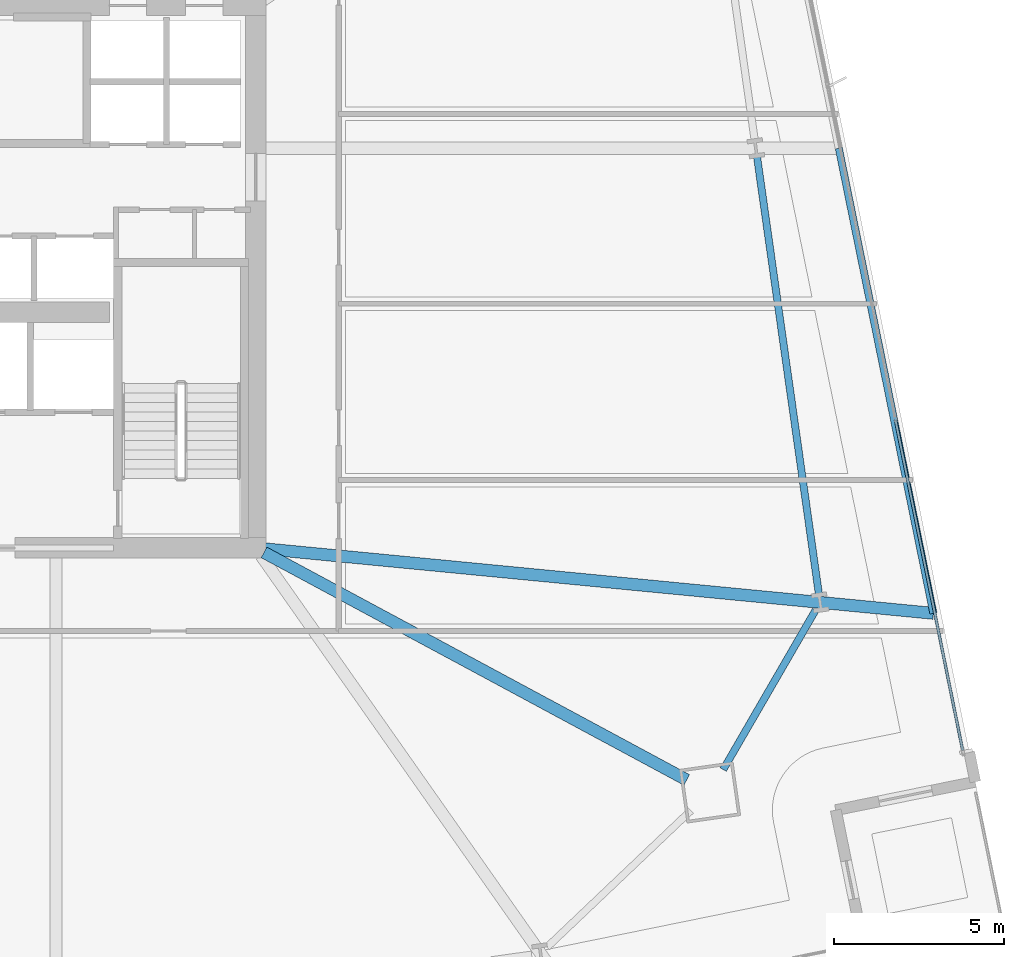
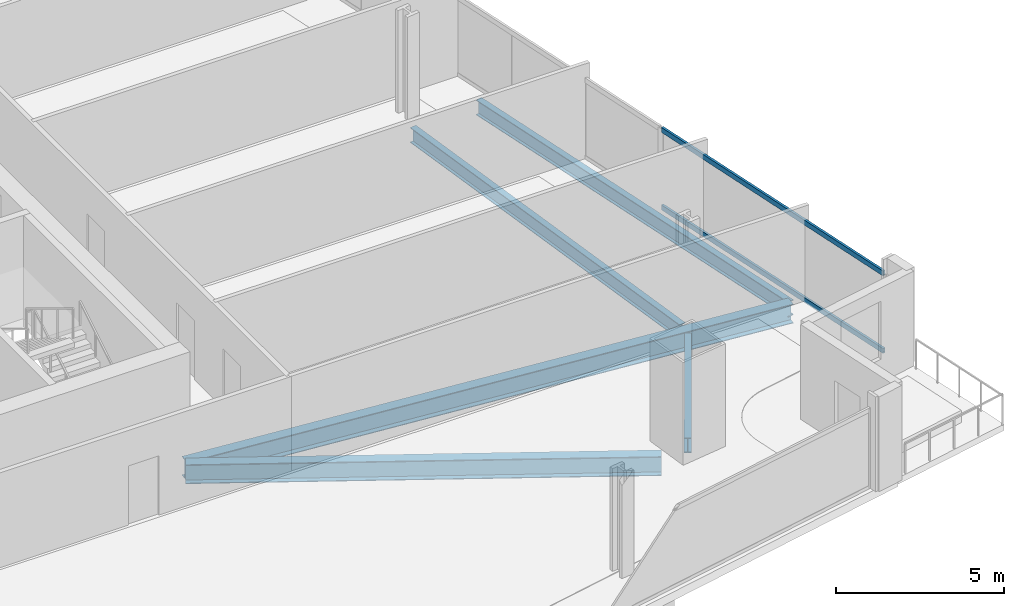
# One storey, part 11 of 33: 5 beams, 2 members, 1 element without a shape of its own.
"""IFC4 building model written with IfcOpenShell, lengths in metres."""

from ifc_helpers import new_model, si_unit, direction, frame, origin, origin_2d, place, context, subcontext, project, spatial, hollow_rectangle, i_section, extrude, material, material_profile, profile_set, type_object, element, aggregate, save


model = new_model("IFC4")

# Units and contexts
model_context = context("Model", 3, precision=1e-05, world=origin(), true_north=direction((0.0, 1.0)))
body_context = subcontext(model_context, "Body", "Model", "MODEL_VIEW")
ifc_project = project(units=[si_unit("LENGTHUNIT", "METRE"), si_unit("AREAUNIT", "SQUARE_METRE"), si_unit("VOLUMEUNIT", "CUBIC_METRE"), si_unit("PLANEANGLEUNIT", "RADIAN"), si_unit("MASSUNIT", "GRAM", prefix="KILO")], contexts=[model_context])

# Site, building, storey
site_placement = place(None, origin())
site = spatial("IfcSite", under=ifc_project, at=site_placement, CompositionType="ELEMENT")
building_placement = place(site_placement, origin())
building = spatial("IfcBuilding", under=site, at=building_placement, Name="Haldenkirk Collegiate Tower", CompositionType="ELEMENT")
storey_placement = place(building_placement, frame((0.0, 0.0, 66.449951171875)))
storey = spatial("IfcBuildingStorey", under=building, at=storey_placement, Name="L15", CompositionType="ELEMENT", Elevation=66.449951171875)

# Beams
ifc_material_1 = material(Name="Steel ASTM A992 Grade 50", Category="steel")
ifc_material_profile_1 = material_profile(ifc_material_1, i_section(OverallWidth=0.35498046875, OverallDepth=0.696044921875, WebThickness=0.015380859375, FlangeThickness=0.02490234375, at=origin_2d()), Name="W27X146")
ifc_profile_set_1 = profile_set([ifc_material_profile_1], Name="Steel ASTM A992 Grade 50")
beam_type_1 = type_object("IfcBeamType", Name="BM-GIRDER-W27X146", PredefinedType="BEAM", material=ifc_profile_set_1)
beam_1_placement = place(storey_placement, frame((57.71435546875, 11.15673828125, -0.657958984375), z_axis=(-0.880558564783, 0.473937352386, 0.0), x_axis=(-0.473937352386, -0.880558564783, 0.0)))
element("IfcBeam", 1, at=beam_1_placement, inside=storey, type_object=beam_type_1, Name="L15 primary floor girder 02", PredefinedType="BEAM", context=body_context, shape_type="SweptSolid", body=[
    extrude(i_section(OverallWidth=0.35498046875, OverallDepth=0.696044921875, WebThickness=0.015380859375, FlangeThickness=0.02490234375, at=origin_2d()), origin(), (0.0, 0.0, 1.0), 14.158935546875),
])
beam_2_placement = place(storey_placement, frame((64.99169921875, 16.0703125, -0.657958984375), z_axis=(-0.995373545868, 0.096080717038, 0.0), x_axis=(-0.096080717038, -0.995373545868, 0.0)))
element("IfcBeam", 2, at=beam_2_placement, inside=storey, type_object=beam_type_1, Name="L15 primary floor girder 08", PredefinedType="BEAM", context=body_context, shape_type="SweptSolid", body=[
    extrude(i_section(OverallWidth=0.35498046875, OverallDepth=0.696044921875, WebThickness=0.015380859375, FlangeThickness=0.02490234375, at=origin_2d()), origin(), (0.0, 0.0, 1.0), 19.804443359375),
])
ifc_material_profile_2 = material_profile(ifc_material_1, i_section(OverallWidth=0.2119140625, OverallDepth=0.5439453125, WebThickness=0.01318359375, FlangeThickness=0.021240234375, at=origin_2d()), Name="W21X83")
ifc_profile_set_2 = profile_set([ifc_material_profile_2], Name="Steel ASTM A992 Grade 50")
beam_type_2 = type_object("IfcBeamType", Name="BM-SPANDREL-W21X83", PredefinedType="SPANDREL", material=ifc_profile_set_2)
beam_3_placement = place(storey_placement, frame((58.7919921875, 11.462158203125, -0.58203125), z_axis=(0.50120629055, 0.865327830543, 0.0), x_axis=(-0.865327830543, 0.50120629055, 0.0)))
element("IfcBeam", 3, at=beam_3_placement, inside=storey, type_object=beam_type_2, Name="L15 perimeter spandrel beam 05", PredefinedType="SPANDREL", context=body_context, shape_type="SweptSolid", body=[
    extrude(i_section(OverallWidth=0.2119140625, OverallDepth=0.5439453125, WebThickness=0.01318359375, FlangeThickness=0.021240234375, at=origin_2d()), origin(), (0.0, 0.0, 1.0), 5.43359375),
])
beam_4_placement = place(storey_placement, frame((61.611083984375, 16.65478515625, -0.58203125), z_axis=(-0.140040904101, 0.990145719164, 0.0), x_axis=(-0.990145719164, -0.140040904101, 0.0)))
element("IfcBeam", 4, at=beam_4_placement, inside=storey, type_object=beam_type_2, Name="L15 perimeter spandrel beam 06", PredefinedType="SPANDREL", context=body_context, shape_type="SweptSolid", body=[
    extrude(i_section(OverallWidth=0.2119140625, OverallDepth=0.5439453125, WebThickness=0.01318359375, FlangeThickness=0.021240234375, at=origin_2d()), origin(), (0.0, 0.0, 1.0), 13.000244140625),
])
beam_5_placement = place(storey_placement, frame((64.99169921875, 16.0703125, -0.58203125), z_axis=(-0.199364783536, 0.979925345669, 0.0), x_axis=(-0.979925345669, -0.199364783536, 0.0)))
element("IfcBeam", 5, at=beam_5_placement, inside=storey, type_object=beam_type_2, Name="L15 outer facade edge beam 2A", PredefinedType="SPANDREL", context=body_context, shape_type="SweptSolid", body=[
    extrude(i_section(OverallWidth=0.2119140625, OverallDepth=0.5439453125, WebThickness=0.01318359375, FlangeThickness=0.021240234375, at=origin_2d()), origin(), (0.0, 0.0, 1.0), 13.99951171875),
])

# Curtain wall, members
ifc_material_2 = material(Name="Anodised architectural bronze aluminium", Category="aluminium")
curtain_wall_type = type_object("IfcCurtainWallType", Name="CW-SYS1-CONVEX-LOW", PredefinedType="USERDEFINED", material=ifc_material_2)
curtain_wall_placement = place(storey_placement, origin())
curtain_wall = element("IfcCurtainWall", 6, at=curtain_wall_placement, inside=storey, type_object=curtain_wall_type, Name="L15 Lower tower convex bronze-framed unitised curtain wall", ObjectType="UNITISED CURTAIN WALL", PredefinedType="USERDEFINED")
ifc_material_profile_3 = material_profile(ifc_material_2, hollow_rectangle(XDim=0.080078125, YDim=0.179931640625, WallThickness=0.0048828125, at=origin_2d()), Name="CW-TRN-1A")
ifc_profile_set_3 = profile_set([ifc_material_profile_3], Name="Anodised architectural bronze aluminium")
member_type = type_object("IfcMemberType", Name="CW-TRN-1A", PredefinedType="USERDEFINED", material=ifc_profile_set_3)
member_1_placement = place(storey_placement, frame((63.871826171875, 21.775634765625, 0.0400390625), z_axis=(0.199361873148, -0.979925937781, 0.0), x_axis=(0.979925937781, 0.199361873148, 0.0)))
member_1 = element("IfcMember", 7, at=member_1_placement, type_object=member_type, Name="CW-1A transom 4.1", ObjectType="TRANSOM", PredefinedType="USERDEFINED", context=body_context, shape_type="SweptSolid", body=[
    extrude(hollow_rectangle(XDim=0.080078125, YDim=0.179931640625, WallThickness=0.0048828125, at=origin_2d()), origin(), (0.0, 0.0, 1.0), 9.94873046875),
])
member_2_placement = place(storey_placement, frame((63.871826171875, 21.775634765625, 2.85107421875), z_axis=(0.199361873148, -0.979925937781, 0.0), x_axis=(0.979925937781, 0.199361873148, 0.0)))
member_2 = element("IfcMember", 8, at=member_2_placement, type_object=member_type, Name="CW-1A transom 4.2", ObjectType="TRANSOM", PredefinedType="USERDEFINED", context=body_context, shape_type="SweptSolid", body=[
    extrude(hollow_rectangle(XDim=0.080078125, YDim=0.179931640625, WallThickness=0.0048828125, at=origin_2d()), origin(), (0.0, 0.0, 1.0), 9.94873046875),
])
aggregate(curtain_wall, [member_1, member_2])

save(model, "model.ifc")
